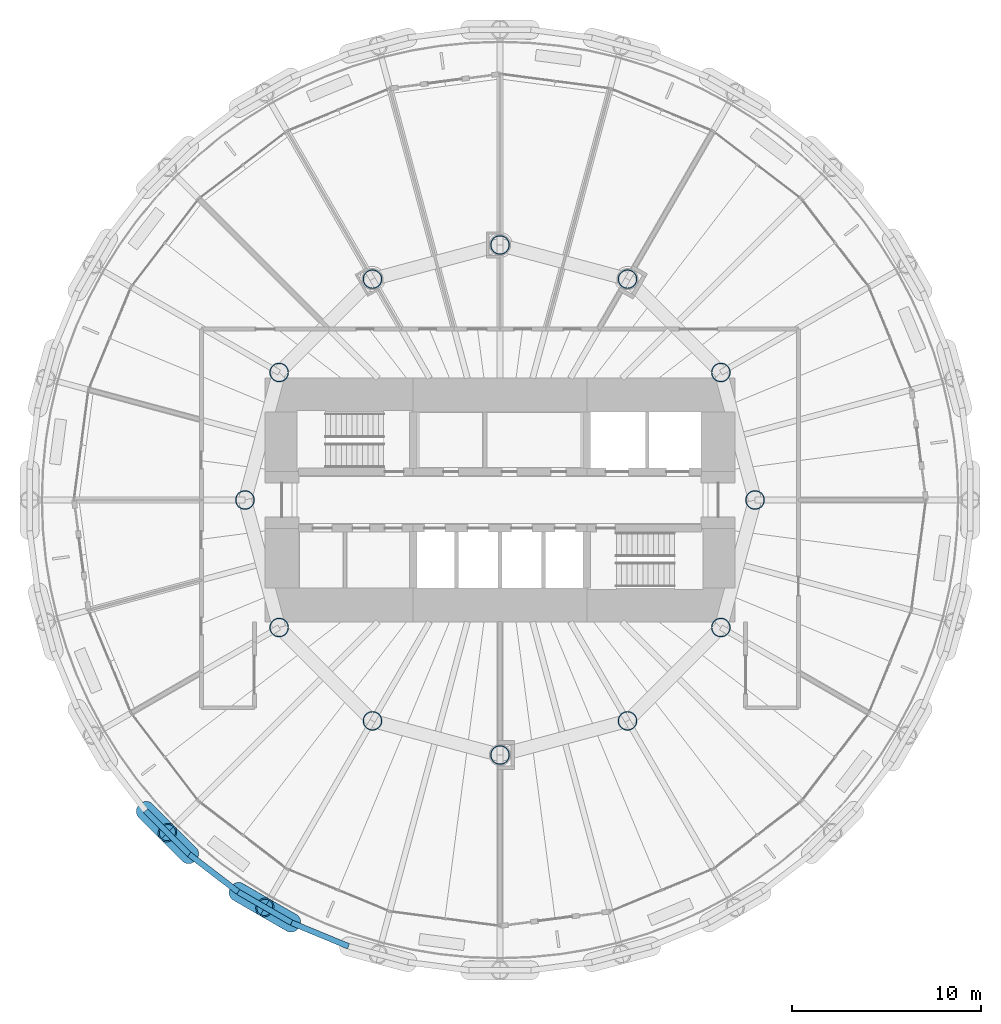
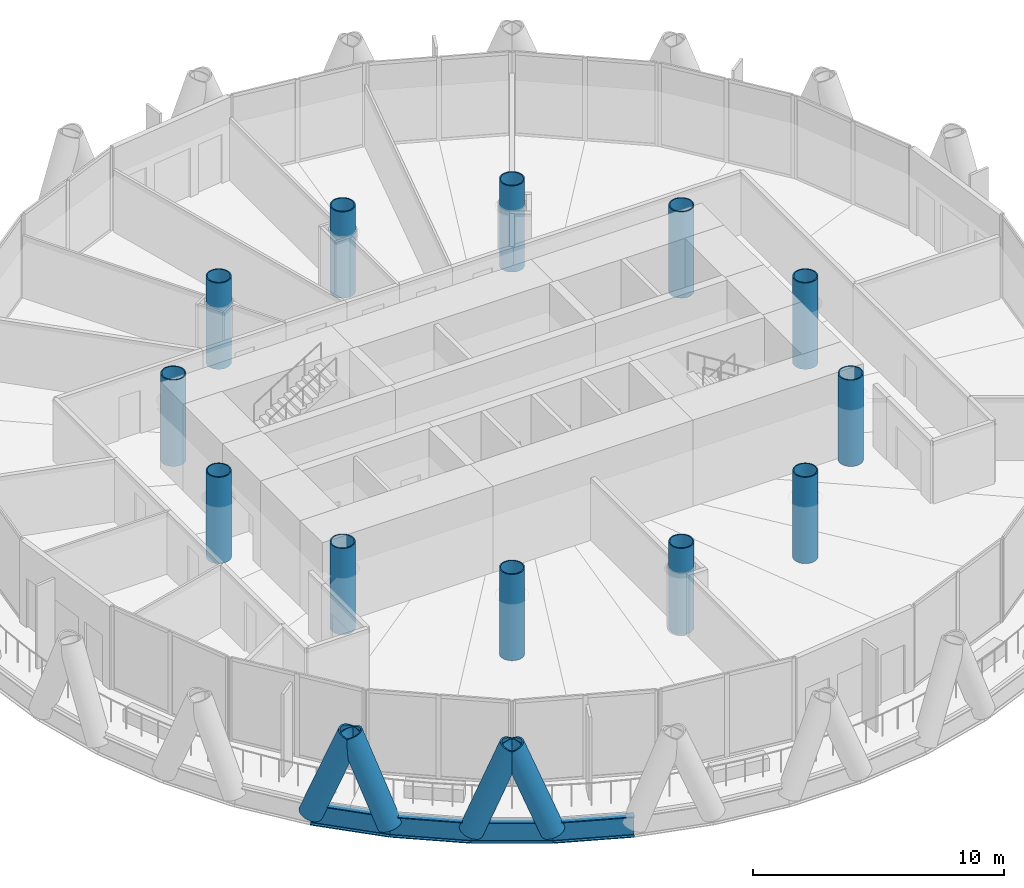
# One storey, part 1 of 16: 12 columns, 4 beams, 4 members.
"""IFC4 building model written with IfcOpenShell, lengths in metres."""

from ifc_helpers import new_model, si_unit, direction, frame, origin, origin_2d, place, context, subcontext, project, spatial, hollow_circle, i_section, extrude, material, material_profile, profile_set, type_object, element, save


model = new_model("IFC4")

# Units and contexts
model_context = context("Model", 3, precision=1e-05, world=origin(), true_north=direction((0.0, 1.0)))
body_context = subcontext(model_context, "Body", "Model", "MODEL_VIEW")
ifc_project = project(units=[si_unit("LENGTHUNIT", "METRE"), si_unit("AREAUNIT", "SQUARE_METRE"), si_unit("VOLUMEUNIT", "CUBIC_METRE"), si_unit("PLANEANGLEUNIT", "RADIAN"), si_unit("MASSUNIT", "GRAM", prefix="KILO")], contexts=[model_context])

# Site, building, storey
site_placement = place(None, origin())
site = spatial("IfcSite", under=ifc_project, at=site_placement, CompositionType="ELEMENT")
building_placement = place(site_placement, origin())
building = spatial("IfcBuilding", under=site, at=building_placement, Name="Qaws Media Tower", CompositionType="ELEMENT")
storey_placement = place(building_placement, frame((0.0, 0.0, 139.39990234375)))
storey = spatial("IfcBuildingStorey", under=building, at=storey_placement, Name="L31", CompositionType="ELEMENT", Elevation=139.39990234375)

# Columns
ifc_material_1 = material(Name="Steel S460", Category="steel")
ifc_material_profile_1 = material_profile(ifc_material_1, hollow_circle(Radius=0.508056640625, WallThickness=0.050048828125, at=origin_2d()), Name="CHS 1016x50")
ifc_profile_set_1 = profile_set([ifc_material_profile_1], Name="Steel S460")
column_type = type_object("IfcColumnType", Name="Inner column CHS 1016x50", PredefinedType="COLUMN", material=ifc_profile_set_1)
for number, where, z_axis, x_axis, name in (
    (1, (73.5, 50.0, 0.0), (0.0, 0.0, 1.0), (1.0, 0.0, 0.0), "C2 inner column I01 L31"),
    (2, (71.69140625, 56.75, 0.0), (0.0, 0.0, 1.0), (1.0, 0.0, 0.0), "C2 inner column I02 L31"),
    (3, (66.75, 61.69140625, 0.0), (0.0, 0.0, 1.0), (1.0, 0.0, 0.0), "C2 inner column I03 L31"),
    (4, (60.0, 63.5, 0.0), (0.0, 0.0, 1.0), (1.0, 0.0, 0.0), "C2 inner column I04 L31"),
    (5, (53.25, 61.69140625, 0.0), (0.0, 0.0, 1.0), (1.0, 0.0, 0.0), "C2 inner column I05 L31"),
    (6, (48.30859375, 56.75, 0.0), (0.0, 0.0, 1.0), (1.0, 0.0, 0.0), "C2 inner column I06 L31"),
    (7, (46.5, 50.0, 0.0), (0.0, 0.0, 1.0), (1.0, 0.0, 0.0), "C2 inner column I07 L31"),
    (8, (48.30859375, 43.25, 0.0), (0.0, 0.0, 1.0), (1.0, 0.0, 0.0), "C2 inner column I08 L31"),
    (9, (53.25, 38.30859375, 0.0), (0.0, 0.0, 1.0), (1.0, 0.0, 0.0), "C2 inner column I09 L31"),
    (10, (60.0, 36.5, 0.0), (0.0, 0.0, 1.0), (1.0, 0.0, 0.0), "C2 inner column I10 L31"),
    (11, (66.75, 38.30859375, 0.0), (0.0, 0.0, 1.0), (1.0, 0.0, 0.0), "C2 inner column I11 L31"),
    (12, (71.69140625, 43.25, 0.0), (0.0, 0.0, 1.0), (1.0, 0.0, 0.0), "C2 inner column I12 L31"),
):
    element("IfcColumn", number, at=place(storey_placement, frame(where, z_axis=z_axis, x_axis=x_axis)), inside=storey, type_object=column_type, Name=name, PredefinedType="COLUMN", context=body_context, shape_type="SweptSolid", body=[
        extrude(hollow_circle(Radius=0.508056640625, WallThickness=0.050048828125, at=origin_2d()), origin(), (0.0, 0.0, 1.0), 4.2001953125),
    ])

# Members
ifc_material_2 = material(Name="Steel S460", Category="steel")
ifc_material_profile_2 = material_profile(ifc_material_2, hollow_circle(Radius=0.508056640625, WallThickness=0.070068359375, at=origin_2d()), Name="CHS 1016x70")
ifc_profile_set_2 = profile_set([ifc_material_profile_2], Name="Steel S460")
member_type = type_object("IfcMemberType", Name="Diagrid member CHS 1016x70", PredefinedType="USERDEFINED", material=ifc_profile_set_2)
for number, where, z_axis, x_axis, name in (
    (13, (41.24169921875, 33.54931640625, -0.663818359375), (0.255530549605, -0.25661422454, 0.932122995094), (0.708601400522, 0.705608995959, 0.0), "DG3 diagrid L31 A15"),
    (14, (46.138427734375, 29.2548828125, -0.663818359375), (0.313285600397, -0.181729488712, 0.932108644696), (0.501767344551, 0.865002619616, 0.0), "DG3 diagrid L31 A16"),
    (15, (43.54931640625, 31.24169921875, -0.663818359375), (-0.25661422454, 0.255530549605, 0.932122995094), (-0.705608995959, -0.708601400522, 0.0), "DG3 diagrid L31 B16"),
    (16, (48.96484375, 27.623046875, -0.663818359375), (-0.313994548223, 0.180431724863, 0.932122211059), (-0.498232164266, -0.867043661237, 0.0), "DG3 diagrid L31 B17"),
):
    element("IfcMember", number, at=place(storey_placement, frame(where, z_axis=z_axis, x_axis=x_axis)), inside=storey, type_object=member_type, Name=name, ObjectType="DIAGRID", PredefinedType="USERDEFINED", context=body_context, shape_type="SweptSolid", body=[
        extrude(hollow_circle(Radius=0.508056640625, WallThickness=0.070068359375, at=origin_2d()), origin(), (0.0, 0.0, 1.0), 4.505859375),
    ])

# Beams
ifc_material_3 = material(Name="Steel S460", Category="steel")
ifc_material_profile_3 = material_profile(ifc_material_3, i_section(OverallWidth=0.302001953125, OverallDepth=1.008056640625, WebThickness=0.02099609375, FlangeThickness=0.0400390625, FilletRadius=0.030029296875, at=origin_2d()), Name="HE 1000 M")
ifc_profile_set_3 = profile_set([ifc_material_profile_3], Name="Steel S460")
beam_type = type_object("IfcBeamType", Name="Edge ring beam HE 1000 M", PredefinedType="BEAM", material=ifc_profile_set_3)
beam_placement = place(storey_placement, frame((41.24169921875, 33.54931640625, -0.663818359375), z_axis=(0.707106781187, -0.707106781187, 0.0), x_axis=(0.707106781187, 0.707106781187, 0.0)))
element("IfcBeam", 17, at=beam_placement, inside=storey, type_object=beam_type, Name="RB3 edge ring beam L31-30", PredefinedType="BEAM", context=body_context, shape_type="SweptSolid", body=[
    extrude(i_section(OverallWidth=0.302001953125, OverallDepth=1.008056640625, WebThickness=0.02099609375, FlangeThickness=0.0400390625, FilletRadius=0.030029296875, at=origin_2d()), origin(), (0.0, 0.0, 1.0), 3.263427734375),
])
for number, where, z_axis, x_axis, name in (
    (18, (43.54931640625, 31.24169921875, -0.663818359375), (0.793335373101, -0.608784843592, 0.0), (0.608784843592, 0.793335373101, 0.0), "RB3 edge ring beam L31-31"),
    (19, (46.138427734375, 29.2548828125, -0.663818359375), (0.866024887666, -0.500000893942, 0.0), (0.500000893942, 0.866024887666, 0.0), "RB3 edge ring beam L31-32"),
    (20, (48.96484375, 27.623046875, -0.663818359375), (0.92386729958, -0.382712963939, 0.0), (0.382712963939, 0.92386729958, 0.0), "RB3 edge ring beam L31-33"),
):
    element("IfcBeam", number, at=place(storey_placement, frame(where, z_axis=z_axis, x_axis=x_axis)), inside=storey, type_object=beam_type, Name=name, PredefinedType="BEAM", context=body_context, shape_type="SweptSolid", body=[
        extrude(i_section(OverallWidth=0.302001953125, OverallDepth=1.008056640625, WebThickness=0.02099609375, FlangeThickness=0.0400390625, FilletRadius=0.030029296875, at=origin_2d()), origin(), (0.0, 0.0, 1.0), 3.263671875),
    ])

save(model, "model.ifc")
